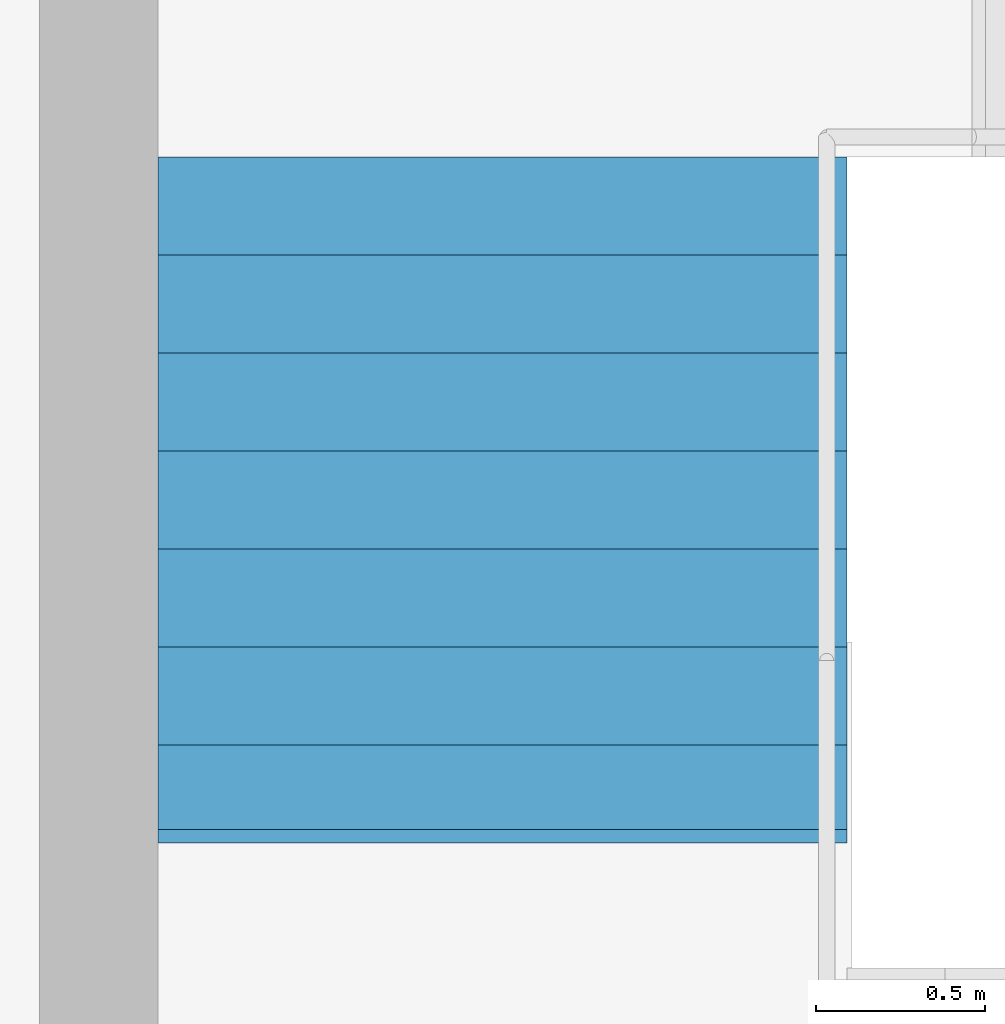
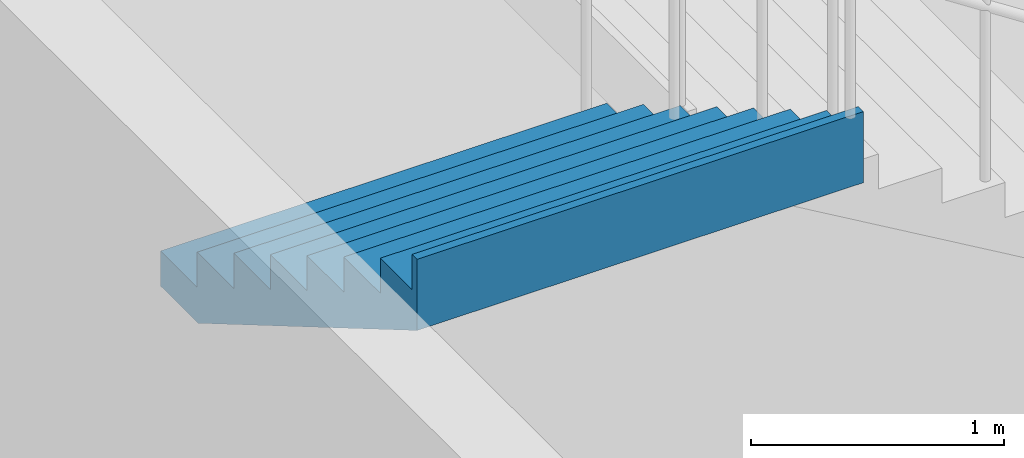
# One storey, part 30 of 50: 1 stair flight, 1 element without a shape of its own.
"""IFC4 building model written with IfcOpenShell, lengths in metres."""

from ifc_helpers import new_model, si_unit, direction, frame, origin, place, context, subcontext, project, spatial, triangles, material, type_object, element, aggregate, save


model = new_model("IFC4")

# Units and contexts
model_context = context("Model", 3, precision=1e-05, world=origin(), true_north=direction((0.0, 1.0)))
body_context = subcontext(model_context, "Body", "Model", "MODEL_VIEW")
ifc_project = project(units=[si_unit("LENGTHUNIT", "METRE"), si_unit("AREAUNIT", "SQUARE_METRE"), si_unit("VOLUMEUNIT", "CUBIC_METRE"), si_unit("PLANEANGLEUNIT", "RADIAN"), si_unit("MASSUNIT", "GRAM", prefix="KILO")], contexts=[model_context])

# Site, building, storey
site_placement = place(None, origin())
site = spatial("IfcSite", under=ifc_project, at=site_placement, CompositionType="ELEMENT")
building_placement = place(site_placement, origin())
building = spatial("IfcBuilding", under=site, at=building_placement, Name="Sillaruma Civic Art Gallery", CompositionType="ELEMENT")
storey_placement = place(building_placement, origin())
storey = spatial("IfcBuildingStorey", under=building, at=storey_placement, Name="L00", CompositionType="ELEMENT", Elevation=0.0)

# Stair, stair flight
ifc_material = material(Name="Concrete H35 (35 MPa)", Category="concrete")
stair_type = type_object("IfcStairType", Name="STR-4F-32", PredefinedType="USERDEFINED", material=ifc_material)
stair_placement = place(storey_placement, origin())
stair = element("IfcStair", 1, at=stair_placement, inside=storey, type_object=stair_type, Name="Protected Exit Stair ST-04 (East Bar) (L00)", ObjectType="THREE_RETURN_STAIR", PredefinedType="USERDEFINED")
stair_flight_type = type_object("IfcStairFlightType", Name="SFL-STR-8", PredefinedType="STRAIGHT", material=ifc_material)
stair_flight_placement = place(storey_placement, frame((99.8798828125, 55.64990234375, 4.080078125), z_axis=(0.0, 0.0, 1.0), x_axis=(0.0, -1.0, 0.0)))
stair_flight = element("IfcStairFlight", 2, at=stair_flight_placement, type_object=stair_flight_type, Name="ST-04 flight 4", NumberOfRisers=8, NumberOfTreads=7, PredefinedType="STRAIGHT", RiserHeight=0.17, TreadLength=0.29, context=body_context, shape_type="Tessellation", body=[
    triangles([(0.0, -1.02001953125, 0.0), (0.29, -1.02001953125, 0.0), (0.296443, -1.02001953125, 0.0), (0.58, -1.02001953125, 0.166223), (0.87, -1.02001953125, 0.336223), (1.16, -1.02001953125, 0.506223), (1.45, -1.02001953125, 0.676223), (1.74, -1.02001953125, 0.846223), (1.990029, -1.02001953125, 0.992792), (2.030029, -1.02001953125, 1.01624), (2.030029, -1.02001953125, 1.36), (1.990029, -1.02001953125, 1.36), (1.990029, -1.02001953125, 1.19), (1.74, -1.02001953125, 1.19), (1.74, -1.02001953125, 1.02), (1.45, -1.02001953125, 1.02), (1.45, -1.02001953125, 0.85), (1.16, -1.02001953125, 0.85), (1.16, -1.02001953125, 0.68), (0.87, -1.02001953125, 0.68), (0.87, -1.02001953125, 0.51), (0.58, -1.02001953125, 0.51), (0.58, -1.02001953125, 0.34), (0.296443, -1.02001953125, 0.34), (0.29, -1.02001953125, 0.34), (0.29, -1.02001953125, 0.17), (0.0, -1.02001953125, 0.17), (0.0, -0.05, 0.0), (0.29, -0.05, 0.0), (0.296443, -0.05, 0.0), (0.58, -0.05, 0.166223), (0.87, -0.05, 0.336223), (1.16, -0.05, 0.506223), (1.45, -0.05, 0.676223), (1.74, -0.05, 0.846223), (1.990029, -0.05, 0.992792), (2.030029, -0.05, 1.01624), (2.030029, -0.05, 1.36), (1.990029, -0.05, 1.36), (1.990029, -0.05, 1.19), (1.74, -0.05, 1.19), (1.74, -0.05, 1.02), (1.45, -0.05, 1.02), (1.45, -0.05, 0.85), (1.16, -0.05, 0.85), (1.16, -0.05, 0.68), (0.87, -0.05, 0.68), (0.87, -0.05, 0.51), (0.58, -0.05, 0.51), (0.58, -0.05, 0.34), (0.296443, -0.05, 0.34), (0.29, -0.05, 0.34), (0.29, -0.05, 0.17), (0.0, -0.05, 0.17), (0.0, -0.0375, 0.0), (0.29, -0.0375, 0.0), (0.296443, -0.0375, 0.0), (0.58, -0.0375, 0.166223), (0.87, -0.0375, 0.336223), (1.16, -0.0375, 0.506223), (1.45, -0.0375, 0.676223), (1.74, -0.0375, 0.846223), (1.990029, -0.0375, 0.992792), (2.030029, -0.0375, 1.01624), (2.030029, -0.0375, 1.36), (1.990029, -0.0375, 1.36), (1.990029, -0.0375, 1.19), (1.74, -0.0375, 1.19), (1.74, -0.0375, 1.02), (1.45, -0.0375, 1.02), (1.45, -0.0375, 0.85), (1.16, -0.0375, 0.85), (1.16, -0.0375, 0.68), (0.87, -0.0375, 0.68), (0.87, -0.0375, 0.51), (0.58, -0.0375, 0.51), (0.58, -0.0375, 0.34), (0.296443, -0.0375, 0.34), (0.29, -0.0375, 0.34), (0.29, -0.0375, 0.17), (0.0, -0.0375, 0.17), (0.0, -0.025, 0.0), (0.29, -0.025, 0.0), (0.296443, -0.025, 0.0), (0.58, -0.025, 0.166223), (0.87, -0.025, 0.336223), (1.16, -0.025, 0.506223), (1.45, -0.025, 0.676223), (1.74, -0.025, 0.846223), (1.990029, -0.025, 0.992792), (2.030029, -0.025, 1.01624), (2.030029, -0.025, 1.36), (1.990029, -0.025, 1.36), (1.990029, -0.025, 1.19), (1.74, -0.025, 1.19), (1.74, -0.025, 1.02), (1.45, -0.025, 1.02), (1.45, -0.025, 0.85), (1.16, -0.025, 0.85), (1.16, -0.025, 0.68), (0.87, -0.025, 0.68), (0.87, -0.025, 0.51), (0.58, -0.025, 0.51), (0.58, -0.025, 0.34), (0.296443, -0.025, 0.34), (0.29, -0.025, 0.34), (0.29, -0.025, 0.17), (0.0, -0.025, 0.17), (0.0, -0.0125, 0.0), (0.29, -0.0125, 0.0), (0.296443, -0.0125, 0.0), (0.58, -0.0125, 0.166223), (0.87, -0.0125, 0.336223), (1.16, -0.0125, 0.506223), (1.45, -0.0125, 0.676223), (1.74, -0.0125, 0.846223), (1.990029, -0.0125, 0.992792), (2.030029, -0.0125, 1.01624), (2.030029, -0.0125, 1.36), (1.990029, -0.0125, 1.36), (1.990029, -0.0125, 1.19), (1.74, -0.0125, 1.19), (1.74, -0.0125, 1.02), (1.45, -0.0125, 1.02), (1.45, -0.0125, 0.85), (1.16, -0.0125, 0.85), (1.16, -0.0125, 0.68), (0.87, -0.0125, 0.68), (0.87, -0.0125, 0.51), (0.58, -0.0125, 0.51), (0.58, -0.0125, 0.34), (0.296443, -0.0125, 0.34), (0.29, -0.0125, 0.34), (0.29, -0.0125, 0.17), (0.0, -0.0125, 0.17), (0.0, 0.0, 0.0), (0.29, 0.0, 0.0), (0.296443, 0.0, 0.0), (0.58, 0.0, 0.166223), (0.87, 0.0, 0.336223), (1.16, 0.0, 0.506223), (1.45, 0.0, 0.676223), (1.74, 0.0, 0.846223), (1.990029, 0.0, 0.992792), (2.030029, 0.0, 1.01624), (2.030029, 0.0, 1.36), (1.990029, 0.0, 1.36), (1.990029, 0.0, 1.19), (1.74, 0.0, 1.19), (1.74, 0.0, 1.02), (1.45, 0.0, 1.02), (1.45, 0.0, 0.85), (1.16, 0.0, 0.85), (1.16, 0.0, 0.68), (0.87, 0.0, 0.68), (0.87, 0.0, 0.51), (0.58, 0.0, 0.51), (0.58, 0.0, 0.34), (0.296443, 0.0, 0.34), (0.29, 0.0, 0.34), (0.29, 0.0, 0.17), (0.0, 0.0, 0.17), (0.0, 0.0125, 0.0), (0.29, 0.0125, 0.0), (0.296443, 0.0125, 0.0), (0.58, 0.0125, 0.166223), (0.87, 0.0125, 0.336223), (1.16, 0.0125, 0.506223), (1.45, 0.0125, 0.676223), (1.74, 0.0125, 0.846223), (1.990029, 0.0125, 0.992792), (2.030029, 0.0125, 1.01624), (2.030029, 0.0125, 1.36), (1.990029, 0.0125, 1.36), (1.990029, 0.0125, 1.19), (1.74, 0.0125, 1.19), (1.74, 0.0125, 1.02), (1.45, 0.0125, 1.02), (1.45, 0.0125, 0.85), (1.16, 0.0125, 0.85), (1.16, 0.0125, 0.68), (0.87, 0.0125, 0.68), (0.87, 0.0125, 0.51), (0.58, 0.0125, 0.51), (0.58, 0.0125, 0.34), (0.296443, 0.0125, 0.34), (0.29, 0.0125, 0.34), (0.29, 0.0125, 0.17), (0.0, 0.0125, 0.17), (0.0, 0.025, 0.0), (0.29, 0.025, 0.0), (0.296443, 0.025, 0.0), (0.58, 0.025, 0.166223), (0.87, 0.025, 0.336223), (1.16, 0.025, 0.506223), (1.45, 0.025, 0.676223), (1.74, 0.025, 0.846223), (1.990029, 0.025, 0.992792), (2.030029, 0.025, 1.01624), (2.030029, 0.025, 1.36), (1.990029, 0.025, 1.36), (1.990029, 0.025, 1.19), (1.74, 0.025, 1.19), (1.74, 0.025, 1.02), (1.45, 0.025, 1.02), (1.45, 0.025, 0.85), (1.16, 0.025, 0.85), (1.16, 0.025, 0.68), (0.87, 0.025, 0.68), (0.87, 0.025, 0.51), (0.58, 0.025, 0.51), (0.58, 0.025, 0.34), (0.296443, 0.025, 0.34), (0.29, 0.025, 0.34), (0.29, 0.025, 0.17), (0.0, 0.025, 0.17), (0.0, 0.0375, 0.0), (0.29, 0.0375, 0.0), (0.296443, 0.0375, 0.0), (0.58, 0.0375, 0.166223), (0.87, 0.0375, 0.336223), (1.16, 0.0375, 0.506223), (1.45, 0.0375, 0.676223), (1.74, 0.0375, 0.846223), (1.990029, 0.0375, 0.992792), (2.030029, 0.0375, 1.01624), (2.030029, 0.0375, 1.36), (1.990029, 0.0375, 1.36), (1.990029, 0.0375, 1.19), (1.74, 0.0375, 1.19), (1.74, 0.0375, 1.02), (1.45, 0.0375, 1.02), (1.45, 0.0375, 0.85), (1.16, 0.0375, 0.85), (1.16, 0.0375, 0.68), (0.87, 0.0375, 0.68), (0.87, 0.0375, 0.51), (0.58, 0.0375, 0.51), (0.58, 0.0375, 0.34), (0.296443, 0.0375, 0.34), (0.29, 0.0375, 0.34), (0.29, 0.0375, 0.17), (0.0, 0.0375, 0.17), (0.0, 0.05, 0.0), (0.29, 0.05, 0.0), (0.296443, 0.05, 0.0), (0.58, 0.05, 0.166223), (0.87, 0.05, 0.336223), (1.16, 0.05, 0.506223), (1.45, 0.05, 0.676223), (1.74, 0.05, 0.846223), (1.990029, 0.05, 0.992792), (2.030029, 0.05, 1.01624), (2.030029, 0.05, 1.36), (1.990029, 0.05, 1.36), (1.990029, 0.05, 1.19), (1.74, 0.05, 1.19), (1.74, 0.05, 1.02), (1.45, 0.05, 1.02), (1.45, 0.05, 0.85), (1.16, 0.05, 0.85), (1.16, 0.05, 0.68), (0.87, 0.05, 0.68), (0.87, 0.05, 0.51), (0.58, 0.05, 0.51), (0.58, 0.05, 0.34), (0.296443, 0.05, 0.34), (0.29, 0.05, 0.34), (0.29, 0.05, 0.17), (0.0, 0.05, 0.17), (0.0, 1.02001953125, 0.0), (0.29, 1.02001953125, 0.0), (0.296443, 1.02001953125, 0.0), (0.58, 1.02001953125, 0.166223), (0.87, 1.02001953125, 0.336223), (1.16, 1.02001953125, 0.506223), (1.45, 1.02001953125, 0.676223), (1.74, 1.02001953125, 0.846223), (1.990029, 1.02001953125, 0.992792), (2.030029, 1.02001953125, 1.01624), (2.030029, 1.02001953125, 1.36), (1.990029, 1.02001953125, 1.36), (1.990029, 1.02001953125, 1.19), (1.74, 1.02001953125, 1.19), (1.74, 1.02001953125, 1.02), (1.45, 1.02001953125, 1.02), (1.45, 1.02001953125, 0.85), (1.16, 1.02001953125, 0.85), (1.16, 1.02001953125, 0.68), (0.87, 1.02001953125, 0.68), (0.87, 1.02001953125, 0.51), (0.58, 1.02001953125, 0.51), (0.58, 1.02001953125, 0.34), (0.296443, 1.02001953125, 0.34), (0.29, 1.02001953125, 0.34), (0.29, 1.02001953125, 0.17), (0.0, 1.02001953125, 0.17)], [[1, 2, 26], [1, 26, 27], [2, 3, 24], [2, 24, 26], [26, 24, 25], [3, 4, 23], [3, 23, 24], [4, 5, 21], [4, 21, 23], [23, 21, 22], [5, 6, 19], [5, 19, 21], [21, 19, 20], [6, 7, 17], [6, 17, 19], [19, 17, 18], [7, 8, 15], [7, 15, 17], [17, 15, 16], [8, 9, 13], [8, 13, 15], [15, 13, 14], [9, 10, 11], [9, 11, 13], [13, 11, 12], [296, 272, 271], [297, 296, 271], [294, 273, 272], [296, 294, 272], [295, 294, 296], [293, 274, 273], [294, 293, 273], [291, 275, 274], [293, 291, 274], [292, 291, 293], [289, 276, 275], [291, 289, 275], [290, 289, 291], [287, 277, 276], [289, 287, 276], [288, 287, 289], [285, 278, 277], [287, 285, 277], [286, 285, 287], [283, 279, 278], [285, 283, 278], [284, 283, 285], [281, 280, 279], [283, 281, 279], [282, 281, 283], [2, 1, 28], [2, 28, 29], [3, 2, 29], [3, 29, 30], [4, 3, 30], [4, 30, 31], [5, 4, 31], [5, 31, 32], [6, 5, 32], [6, 32, 33], [7, 6, 33], [7, 33, 34], [8, 7, 34], [8, 34, 35], [9, 8, 35], [9, 35, 36], [10, 9, 36], [10, 36, 37], [11, 10, 37], [11, 37, 38], [12, 11, 38], [12, 38, 39], [13, 12, 39], [13, 39, 40], [14, 13, 40], [14, 40, 41], [15, 14, 41], [15, 41, 42], [16, 15, 42], [16, 42, 43], [17, 16, 43], [17, 43, 44], [18, 17, 44], [18, 44, 45], [19, 18, 45], [19, 45, 46], [20, 19, 46], [20, 46, 47], [21, 20, 47], [21, 47, 48], [22, 21, 48], [22, 48, 49], [23, 22, 49], [23, 49, 50], [24, 23, 50], [24, 50, 51], [25, 24, 51], [25, 51, 52], [26, 25, 52], [26, 52, 53], [27, 26, 53], [27, 53, 54], [1, 27, 54], [1, 54, 28], [29, 28, 55], [29, 55, 56], [30, 29, 56], [30, 56, 57], [31, 30, 57], [31, 57, 58], [32, 31, 58], [32, 58, 59], [33, 32, 59], [33, 59, 60], [34, 33, 60], [34, 60, 61], [35, 34, 61], [35, 61, 62], [36, 35, 62], [36, 62, 63], [37, 36, 63], [37, 63, 64], [38, 37, 64], [38, 64, 65], [39, 38, 65], [39, 65, 66], [40, 39, 66], [40, 66, 67], [41, 40, 67], [41, 67, 68], [42, 41, 68], [42, 68, 69], [43, 42, 69], [43, 69, 70], [44, 43, 70], [44, 70, 71], [45, 44, 71], [45, 71, 72], [46, 45, 72], [46, 72, 73], [47, 46, 73], [47, 73, 74], [48, 47, 74], [48, 74, 75], [49, 48, 75], [49, 75, 76], [50, 49, 76], [50, 76, 77], [51, 50, 77], [51, 77, 78], [52, 51, 78], [52, 78, 79], [53, 52, 79], [53, 79, 80], [54, 53, 80], [54, 80, 81], [28, 54, 81], [28, 81, 55], [56, 55, 82], [56, 82, 83], [57, 56, 83], [57, 83, 84], [58, 57, 84], [58, 84, 85], [59, 58, 85], [59, 85, 86], [60, 59, 86], [60, 86, 87], [61, 60, 87], [61, 87, 88], [62, 61, 88], [62, 88, 89], [63, 62, 89], [63, 89, 90], [64, 63, 90], [64, 90, 91], [65, 64, 91], [65, 91, 92], [66, 65, 92], [66, 92, 93], [67, 66, 93], [67, 93, 94], [68, 67, 94], [68, 94, 95], [69, 68, 95], [69, 95, 96], [70, 69, 96], [70, 96, 97], [71, 70, 97], [71, 97, 98], [72, 71, 98], [72, 98, 99], [73, 72, 99], [73, 99, 100], [74, 73, 100], [74, 100, 101], [75, 74, 101], [75, 101, 102], [76, 75, 102], [76, 102, 103], [77, 76, 103], [77, 103, 104], [78, 77, 104], [78, 104, 105], [79, 78, 105], [79, 105, 106], [80, 79, 106], [80, 106, 107], [81, 80, 107], [81, 107, 108], [55, 81, 108], [55, 108, 82], [83, 82, 109], [83, 109, 110], [84, 83, 110], [84, 110, 111], [85, 84, 111], [85, 111, 112], [86, 85, 112], [86, 112, 113], [87, 86, 113], [87, 113, 114], [88, 87, 114], [88, 114, 115], [89, 88, 115], [89, 115, 116], [90, 89, 116], [90, 116, 117], [91, 90, 117], [91, 117, 118], [92, 91, 118], [92, 118, 119], [93, 92, 119], [93, 119, 120], [94, 93, 120], [94, 120, 121], [95, 94, 121], [95, 121, 122], [96, 95, 122], [96, 122, 123], [97, 96, 123], [97, 123, 124], [98, 97, 124], [98, 124, 125], [99, 98, 125], [99, 125, 126], [100, 99, 126], [100, 126, 127], [101, 100, 127], [101, 127, 128], [102, 101, 128], [102, 128, 129], [103, 102, 129], [103, 129, 130], [104, 103, 130], [104, 130, 131], [105, 104, 131], [105, 131, 132], [106, 105, 132], [106, 132, 133], [107, 106, 133], [107, 133, 134], [108, 107, 134], [108, 134, 135], [82, 108, 135], [82, 135, 109], [110, 109, 136], [110, 136, 137], [111, 110, 137], [111, 137, 138], [112, 111, 138], [112, 138, 139], [113, 112, 139], [113, 139, 140], [114, 113, 140], [114, 140, 141], [115, 114, 141], [115, 141, 142], [116, 115, 142], [116, 142, 143], [117, 116, 143], [117, 143, 144], [118, 117, 144], [118, 144, 145], [119, 118, 145], [119, 145, 146], [120, 119, 146], [120, 146, 147], [121, 120, 147], [121, 147, 148], [122, 121, 148], [122, 148, 149], [123, 122, 149], [123, 149, 150], [124, 123, 150], [124, 150, 151], [125, 124, 151], [125, 151, 152], [126, 125, 152], [126, 152, 153], [127, 126, 153], [127, 153, 154], [128, 127, 154], [128, 154, 155], [129, 128, 155], [129, 155, 156], [130, 129, 156], [130, 156, 157], [131, 130, 157], [131, 157, 158], [132, 131, 158], [132, 158, 159], [133, 132, 159], [133, 159, 160], [134, 133, 160], [134, 160, 161], [135, 134, 161], [135, 161, 162], [109, 135, 162], [109, 162, 136], [137, 136, 163], [137, 163, 164], [138, 137, 164], [138, 164, 165], [139, 138, 165], [139, 165, 166], [140, 139, 166], [140, 166, 167], [141, 140, 167], [141, 167, 168], [142, 141, 168], [142, 168, 169], [143, 142, 169], [143, 169, 170], [144, 143, 170], [144, 170, 171], [145, 144, 171], [145, 171, 172], [146, 145, 172], [146, 172, 173], [147, 146, 173], [147, 173, 174], [148, 147, 174], [148, 174, 175], [149, 148, 175], [149, 175, 176], [150, 149, 176], [150, 176, 177], [151, 150, 177], [151, 177, 178], [152, 151, 178], [152, 178, 179], [153, 152, 179], [153, 179, 180], [154, 153, 180], [154, 180, 181], [155, 154, 181], [155, 181, 182], [156, 155, 182], [156, 182, 183], [157, 156, 183], [157, 183, 184], [158, 157, 184], [158, 184, 185], [159, 158, 185], [159, 185, 186], [160, 159, 186], [160, 186, 187], [161, 160, 187], [161, 187, 188], [162, 161, 188], [162, 188, 189], [136, 162, 189], [136, 189, 163], [164, 163, 190], [164, 190, 191], [165, 164, 191], [165, 191, 192], [166, 165, 192], [166, 192, 193], [167, 166, 193], [167, 193, 194], [168, 167, 194], [168, 194, 195], [169, 168, 195], [169, 195, 196], [170, 169, 196], [170, 196, 197], [171, 170, 197], [171, 197, 198], [172, 171, 198], [172, 198, 199], [173, 172, 199], [173, 199, 200], [174, 173, 200], [174, 200, 201], [175, 174, 201], [175, 201, 202], [176, 175, 202], [176, 202, 203], [177, 176, 203], [177, 203, 204], [178, 177, 204], [178, 204, 205], [179, 178, 205], [179, 205, 206], [180, 179, 206], [180, 206, 207], [181, 180, 207], [181, 207, 208], [182, 181, 208], [182, 208, 209], [183, 182, 209], [183, 209, 210], [184, 183, 210], [184, 210, 211], [185, 184, 211], [185, 211, 212], [186, 185, 212], [186, 212, 213], [187, 186, 213], [187, 213, 214], [188, 187, 214], [188, 214, 215], [189, 188, 215], [189, 215, 216], [163, 189, 216], [163, 216, 190], [191, 190, 217], [191, 217, 218], [192, 191, 218], [192, 218, 219], [193, 192, 219], [193, 219, 220], [194, 193, 220], [194, 220, 221], [195, 194, 221], [195, 221, 222], [196, 195, 222], [196, 222, 223], [197, 196, 223], [197, 223, 224], [198, 197, 224], [198, 224, 225], [199, 198, 225], [199, 225, 226], [200, 199, 226], [200, 226, 227], [201, 200, 227], [201, 227, 228], [202, 201, 228], [202, 228, 229], [203, 202, 229], [203, 229, 230], [204, 203, 230], [204, 230, 231], [205, 204, 231], [205, 231, 232], [206, 205, 232], [206, 232, 233], [207, 206, 233], [207, 233, 234], [208, 207, 234], [208, 234, 235], [209, 208, 235], [209, 235, 236], [210, 209, 236], [210, 236, 237], [211, 210, 237], [211, 237, 238], [212, 211, 238], [212, 238, 239], [213, 212, 239], [213, 239, 240], [214, 213, 240], [214, 240, 241], [215, 214, 241], [215, 241, 242], [216, 215, 242], [216, 242, 243], [190, 216, 243], [190, 243, 217], [218, 217, 244], [218, 244, 245], [219, 218, 245], [219, 245, 246], [220, 219, 246], [220, 246, 247], [221, 220, 247], [221, 247, 248], [222, 221, 248], [222, 248, 249], [223, 222, 249], [223, 249, 250], [224, 223, 250], [224, 250, 251], [225, 224, 251], [225, 251, 252], [226, 225, 252], [226, 252, 253], [227, 226, 253], [227, 253, 254], [228, 227, 254], [228, 254, 255], [229, 228, 255], [229, 255, 256], [230, 229, 256], [230, 256, 257], [231, 230, 257], [231, 257, 258], [232, 231, 258], [232, 258, 259], [233, 232, 259], [233, 259, 260], [234, 233, 260], [234, 260, 261], [235, 234, 261], [235, 261, 262], [236, 235, 262], [236, 262, 263], [237, 236, 263], [237, 263, 264], [238, 237, 264], [238, 264, 265], [239, 238, 265], [239, 265, 266], [240, 239, 266], [240, 266, 267], [241, 240, 267], [241, 267, 268], [242, 241, 268], [242, 268, 269], [243, 242, 269], [243, 269, 270], [217, 243, 270], [217, 270, 244], [245, 244, 271], [245, 271, 272], [246, 245, 272], [246, 272, 273], [247, 246, 273], [247, 273, 274], [248, 247, 274], [248, 274, 275], [249, 248, 275], [249, 275, 276], [250, 249, 276], [250, 276, 277], [251, 250, 277], [251, 277, 278], [252, 251, 278], [252, 278, 279], [253, 252, 279], [253, 279, 280], [254, 253, 280], [254, 280, 281], [255, 254, 281], [255, 281, 282], [256, 255, 282], [256, 282, 283], [257, 256, 283], [257, 283, 284], [258, 257, 284], [258, 284, 285], [259, 258, 285], [259, 285, 286], [260, 259, 286], [260, 286, 287], [261, 260, 287], [261, 287, 288], [262, 261, 288], [262, 288, 289], [263, 262, 289], [263, 289, 290], [264, 263, 290], [264, 290, 291], [265, 264, 291], [265, 291, 292], [266, 265, 292], [266, 292, 293], [267, 266, 293], [267, 293, 294], [268, 267, 294], [268, 294, 295], [269, 268, 295], [269, 295, 296], [270, 269, 296], [270, 296, 297], [244, 270, 297], [244, 297, 271]], closed=True),
])
aggregate(stair, [stair_flight])

save(model, "model.ifc")
